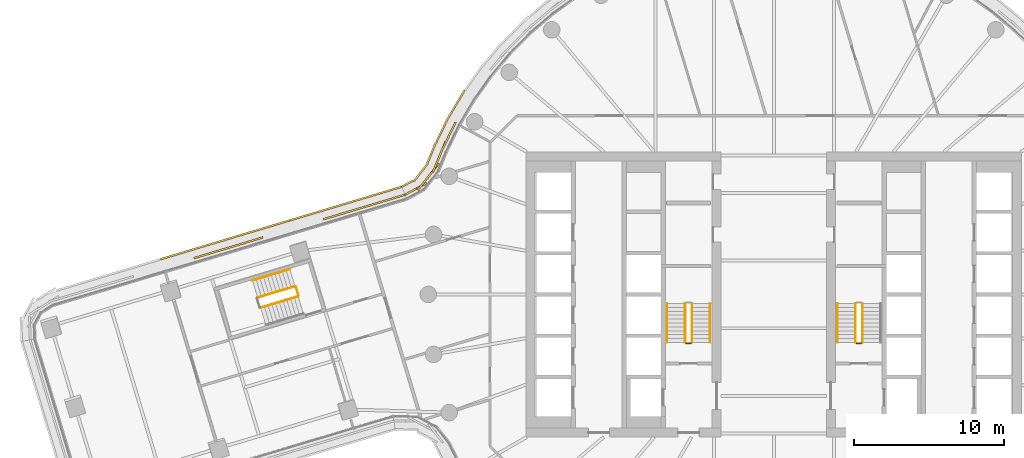
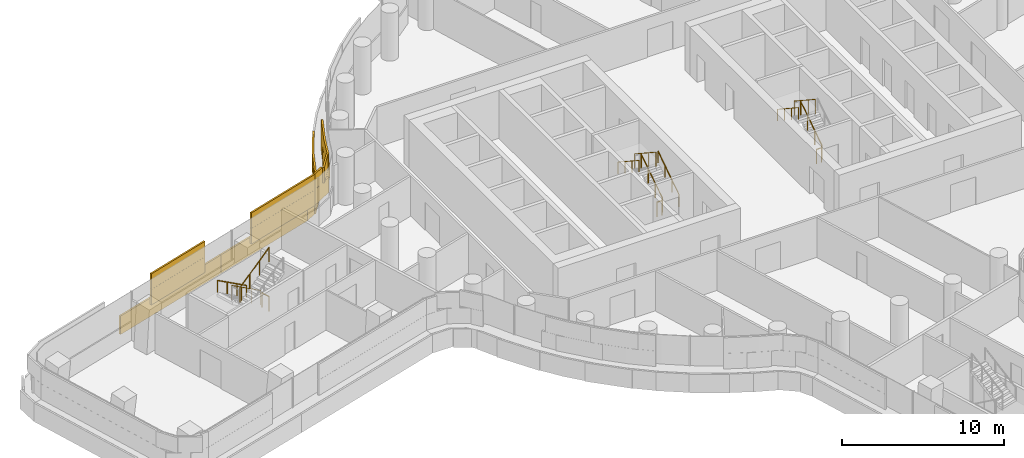
# One storey, part 27 of 32: 13 railings, 3 coverings.
"""IFC4 building model written with IfcOpenShell, lengths in metres."""

from ifc_helpers import new_model, si_unit, direction, frame, origin, origin_2d, place, context, subcontext, project, spatial, rectangle, circle, extrude, material, layer, layer_set, type_object, element, save


model = new_model("IFC4")

# Units and contexts
model_context = context("Model", 3, precision=1e-05, world=origin(), true_north=direction((0.0, 1.0)))
body_context = subcontext(model_context, "Body", "Model", "MODEL_VIEW")
ifc_project = project(units=[si_unit("LENGTHUNIT", "METRE"), si_unit("AREAUNIT", "SQUARE_METRE"), si_unit("VOLUMEUNIT", "CUBIC_METRE"), si_unit("PLANEANGLEUNIT", "RADIAN"), si_unit("MASSUNIT", "GRAM", prefix="KILO")], contexts=[model_context])

# Site, building, storey
site_placement = place(None, origin())
site = spatial("IfcSite", under=ifc_project, at=site_placement, CompositionType="ELEMENT")
building_placement = place(site_placement, origin())
building = spatial("IfcBuilding", under=site, at=building_placement, Name="Tamarind Cross Interchange Tower", CompositionType="ELEMENT")
storey_placement = place(building_placement, frame((0.0, 0.0, 94.75)))
storey = spatial("IfcBuildingStorey", under=building, at=storey_placement, Name="L22", CompositionType="ELEMENT", Elevation=94.75)

# Railings
ifc_material_1 = material(Name="Stair guard")
railing_type_1 = type_object("IfcRailingType", Name="Stair guard", PredefinedType="GUARDRAIL", material=ifc_material_1)
railing_1_placement = place(storey_placement, frame((-5.449951171875, -3.199951171875, 0.17041015625)))
element("IfcRailing", 1, at=railing_1_placement, inside=storey, type_object=railing_type_1, Name="L22 ST1 stair guard 1", PredefinedType="GUARDRAIL", context=body_context, shape_type="SweptSolid", body=[
    extrude(circle(Radius=0.02392578125, at=origin_2d()), frame((0.0, 0.0, 1.076171875), z_axis=(0.0, 0.836278606002, 0.548304744775), x_axis=(-1.0, 0.0, 0.0)), (0.0, 0.0, 1.0), 3.10888671875),
    extrude(circle(Radius=0.02099609375, at=origin_2d()), origin(), (0.0, 0.0, 1.0), 1.052001953125),
    extrude(circle(Radius=0.02099609375, at=origin_2d()), frame((0.0, 0.86669921875, 0.568115234375)), (0.0, 0.0, 1.0), 1.052001953125),
    extrude(circle(Radius=0.02099609375, at=origin_2d()), frame((0.0, 1.733154296875, 1.136474609375)), (0.0, 0.0, 1.0), 1.052001953125),
    extrude(circle(Radius=0.02099609375, at=origin_2d()), frame((0.0, 2.599853515625, 1.70458984375)), (0.0, 0.0, 1.0), 1.052001953125),
])
railing_2_placement = place(storey_placement, frame((-5.89990234375, -0.60009765625, 2.04541015625)))
element("IfcRailing", 2, at=railing_2_placement, inside=storey, type_object=railing_type_1, Name="L22 ST1 stair guard 3", PredefinedType="GUARDRAIL", context=body_context, shape_type="SweptSolid", body=[
    extrude(circle(Radius=0.02392578125, at=origin_2d()), frame((0.0, 0.0, 1.076171875), z_axis=(0.0, -0.836278606002, 0.548304744775), x_axis=(1.0, 0.0, 0.0)), (0.0, 0.0, 1.0), 3.10888671875),
    extrude(circle(Radius=0.02099609375, at=origin_2d()), origin(), (0.0, 0.0, 1.0), 1.052001953125),
    extrude(circle(Radius=0.02099609375, at=origin_2d()), frame((0.0, -0.86669921875, 0.568115234375)), (0.0, 0.0, 1.0), 1.052001953125),
    extrude(circle(Radius=0.02099609375, at=origin_2d()), frame((0.0, -1.733154296875, 1.136474609375)), (0.0, 0.0, 1.0), 1.052001953125),
    extrude(circle(Radius=0.02099609375, at=origin_2d()), frame((0.0, -2.599853515625, 1.70458984375)), (0.0, 0.0, 1.0), 1.052001953125),
])
railing_3_placement = place(storey_placement, frame((-5.5, -3.25, 0.0)))
element("IfcRailing", 3, at=railing_3_placement, inside=storey, type_object=railing_type_1, Name="L22 ST1 stair guard 4", PredefinedType="GUARDRAIL", context=body_context, shape_type="SweptSolid", body=[
    extrude(circle(Radius=0.02392578125, at=origin_2d()), frame((0.0, 0.0, 1.076171875), z_axis=(-1.0, 0.0, 0.0), x_axis=(0.0, -1.0, 0.0)), (0.0, 0.0, 1.0), 0.35009765625),
    extrude(circle(Radius=0.02099609375, at=origin_2d()), origin(), (0.0, 0.0, 1.0), 1.052001953125),
    extrude(circle(Radius=0.02099609375, at=origin_2d()), frame((-0.35009765625, 0.0, 0.0)), (0.0, 0.0, 1.0), 1.052001953125),
])
railing_4_placement = place(storey_placement, frame((5.89990234375, -3.199951171875, 0.17041015625)))
element("IfcRailing", 4, at=railing_4_placement, inside=storey, type_object=railing_type_1, Name="L22 ST2 stair guard 1", PredefinedType="GUARDRAIL", context=body_context, shape_type="SweptSolid", body=[
    extrude(circle(Radius=0.02392578125, at=origin_2d()), frame((0.0, 0.0, 1.076171875), z_axis=(0.0, 0.836278606002, 0.548304744775), x_axis=(-1.0, 0.0, 0.0)), (0.0, 0.0, 1.0), 3.10888671875),
    extrude(circle(Radius=0.02099609375, at=origin_2d()), origin(), (0.0, 0.0, 1.0), 1.052001953125),
    extrude(circle(Radius=0.02099609375, at=origin_2d()), frame((0.0, 0.86669921875, 0.568115234375)), (0.0, 0.0, 1.0), 1.052001953125),
    extrude(circle(Radius=0.02099609375, at=origin_2d()), frame((0.0, 1.733154296875, 1.136474609375)), (0.0, 0.0, 1.0), 1.052001953125),
    extrude(circle(Radius=0.02099609375, at=origin_2d()), frame((0.0, 2.599853515625, 1.70458984375)), (0.0, 0.0, 1.0), 1.052001953125),
])
railing_5_placement = place(storey_placement, frame((5.449951171875, -0.60009765625, 2.04541015625)))
element("IfcRailing", 5, at=railing_5_placement, inside=storey, type_object=railing_type_1, Name="L22 ST2 stair guard 3", PredefinedType="GUARDRAIL", context=body_context, shape_type="SweptSolid", body=[
    extrude(circle(Radius=0.02392578125, at=origin_2d()), frame((0.0, 0.0, 1.076171875), z_axis=(0.0, -0.836278606002, 0.548304744775), x_axis=(1.0, 0.0, 0.0)), (0.0, 0.0, 1.0), 3.10888671875),
    extrude(circle(Radius=0.02099609375, at=origin_2d()), origin(), (0.0, 0.0, 1.0), 1.052001953125),
    extrude(circle(Radius=0.02099609375, at=origin_2d()), frame((0.0, -0.86669921875, 0.568115234375)), (0.0, 0.0, 1.0), 1.052001953125),
    extrude(circle(Radius=0.02099609375, at=origin_2d()), frame((0.0, -1.733154296875, 1.136474609375)), (0.0, 0.0, 1.0), 1.052001953125),
    extrude(circle(Radius=0.02099609375, at=origin_2d()), frame((0.0, -2.599853515625, 1.70458984375)), (0.0, 0.0, 1.0), 1.052001953125),
])
railing_6_placement = place(storey_placement, frame((5.85009765625, -3.25, 0.0)))
element("IfcRailing", 6, at=railing_6_placement, inside=storey, type_object=railing_type_1, Name="L22 ST2 stair guard 4", PredefinedType="GUARDRAIL", context=body_context, shape_type="SweptSolid", body=[
    extrude(circle(Radius=0.02392578125, at=origin_2d()), frame((0.0, 0.0, 1.076171875), z_axis=(-1.0, 0.0, 0.0), x_axis=(0.0, -1.0, 0.0)), (0.0, 0.0, 1.0), 0.35009765625),
    extrude(circle(Radius=0.02099609375, at=origin_2d()), origin(), (0.0, 0.0, 1.0), 1.052001953125),
    extrude(circle(Radius=0.02099609375, at=origin_2d()), frame((-0.35009765625, 0.0, 0.0)), (0.0, 0.0, 1.0), 1.052001953125),
])
railing_7_placement = place(storey_placement, frame((-31.87060546875, 0.533447265625, 0.17041015625)))
element("IfcRailing", 7, at=railing_7_placement, inside=storey, type_object=railing_type_1, Name="L22 ST5 stair guard 1", PredefinedType="GUARDRAIL", context=body_context, shape_type="SweptSolid", body=[
    extrude(circle(Radius=0.02392578125, at=origin_2d()), frame((0.0, 0.0, 1.076171875), z_axis=(-0.800923528983, -0.240614736033, 0.548293762071), x_axis=(0.287718306478, -0.957715080866, 0.0)), (0.0, 0.0, 1.0), 3.10888671875),
    extrude(circle(Radius=0.02099609375, at=origin_2d()), origin(), (0.0, 0.0, 1.0), 1.052001953125),
    extrude(circle(Radius=0.02099609375, at=origin_2d()), frame((-0.830078125, -0.249267578125, 0.568115234375)), (0.0, 0.0, 1.0), 1.052001953125),
    extrude(circle(Radius=0.02099609375, at=origin_2d()), frame((-1.659912109375, -0.498779296875, 1.136474609375)), (0.0, 0.0, 1.0), 1.052001953125),
    extrude(circle(Radius=0.02099609375, at=origin_2d()), frame((-2.489990234375, -0.748046875, 1.70458984375)), (0.0, 0.0, 1.0), 1.052001953125),
])
railing_8_placement = place(storey_placement, frame((-34.159423828125, -0.885009765625, 2.04541015625)))
element("IfcRailing", 8, at=railing_8_placement, inside=storey, type_object=railing_type_1, Name="L22 ST5 stair guard 3", PredefinedType="GUARDRAIL", context=body_context, shape_type="SweptSolid", body=[
    extrude(circle(Radius=0.02392578125, at=origin_2d()), frame((0.0, 0.0, 1.076171875), z_axis=(0.800951680882, 0.240599602963, 0.548259278031), x_axis=(-0.287692433569, 0.957722853266, 0.0)), (0.0, 0.0, 1.0), 3.109130859375),
    extrude(circle(Radius=0.02099609375, at=origin_2d()), origin(), (0.0, 0.0, 1.0), 1.052001953125),
    extrude(circle(Radius=0.02099609375, at=origin_2d()), frame((0.830078125, 0.249267578125, 0.568115234375)), (0.0, 0.0, 1.0), 1.052001953125),
    extrude(circle(Radius=0.02099609375, at=origin_2d()), frame((1.66015625, 0.498779296875, 1.136474609375)), (0.0, 0.0, 1.0), 1.052001953125),
    extrude(circle(Radius=0.02099609375, at=origin_2d()), frame((2.490234375, 0.748046875, 1.70458984375)), (0.0, 0.0, 1.0), 1.052001953125),
])
railing_9_placement = place(storey_placement, frame((-31.808349609375, 0.499755859375, 0.0)))
element("IfcRailing", 9, at=railing_9_placement, inside=storey, type_object=railing_type_1, Name="L22 ST5 stair guard 4", PredefinedType="GUARDRAIL", context=body_context, shape_type="SweptSolid", body=[
    extrude(circle(Radius=0.02392578125, at=origin_2d()), frame((0.0, 0.0, 1.076171875), z_axis=(0.287758606803, -0.957702972853, 0.0), x_axis=(0.957702972853, 0.287758606803, 0.0)), (0.0, 0.0, 1.0), 0.599853515625),
    extrude(circle(Radius=0.02099609375, at=origin_2d()), origin(), (0.0, 0.0, 1.0), 1.052001953125),
    extrude(circle(Radius=0.02099609375, at=origin_2d()), frame((0.172607421875, -0.574462890625, 0.0)), (0.0, 0.0, 1.0), 1.052001953125),
])
ifc_material_2 = material(Name="Stair handrail")
railing_type_2 = type_object("IfcRailingType", Name="Stair handrail", PredefinedType="HANDRAIL", material=ifc_material_2)
railing_10_placement = place(storey_placement, frame((-4.25, -3.199951171875, 0.17041015625)))
element("IfcRailing", 10, at=railing_10_placement, inside=storey, type_object=railing_type_2, Name="L22 ST1 stair handrail 1", PredefinedType="HANDRAIL", context=body_context, shape_type="SweptSolid", body=[
    extrude(circle(Radius=0.02392578125, at=origin_2d()), frame((0.0, 0.0, 0.8759765625), z_axis=(0.0, 0.836278606002, 0.548304744775), x_axis=(-1.0, 0.0, 0.0)), (0.0, 0.0, 1.0), 3.10888671875),
    extrude(circle(Radius=0.02099609375, at=origin_2d()), origin(), (0.0, 0.0, 1.0), 0.851806640625),
    extrude(circle(Radius=0.02099609375, at=origin_2d()), frame((0.0, 0.86669921875, 0.568115234375)), (0.0, 0.0, 1.0), 0.851806640625),
    extrude(circle(Radius=0.02099609375, at=origin_2d()), frame((0.0, 1.733154296875, 1.136474609375)), (0.0, 0.0, 1.0), 0.851806640625),
    extrude(circle(Radius=0.02099609375, at=origin_2d()), frame((0.0, 2.599853515625, 1.70458984375)), (0.0, 0.0, 1.0), 0.851806640625),
])
for number, where, name in (
    (11, (-7.10009765625, -0.60009765625, 2.04541015625), "L22 ST1 stair handrail 2"),
    (12, (4.25, -0.60009765625, 2.04541015625), "L22 ST2 stair handrail 2"),
):
    element("IfcRailing", number, at=place(storey_placement, frame(where)), inside=storey, type_object=railing_type_2, Name=name, PredefinedType="HANDRAIL", context=body_context, shape_type="SweptSolid", body=[
        extrude(circle(Radius=0.02392578125, at=origin_2d()), frame((0.0, 0.0, 0.8759765625), z_axis=(0.0, -0.836278606002, 0.548304744775), x_axis=(1.0, 0.0, 0.0)), (0.0, 0.0, 1.0), 3.10888671875),
        extrude(circle(Radius=0.02099609375, at=origin_2d()), origin(), (0.0, 0.0, 1.0), 0.851806640625),
        extrude(circle(Radius=0.02099609375, at=origin_2d()), frame((0.0, -0.86669921875, 0.568115234375)), (0.0, 0.0, 1.0), 0.851806640625),
        extrude(circle(Radius=0.02099609375, at=origin_2d()), frame((0.0, -1.733154296875, 1.136474609375)), (0.0, 0.0, 1.0), 0.851806640625),
        extrude(circle(Radius=0.02099609375, at=origin_2d()), frame((0.0, -2.599853515625, 1.70458984375)), (0.0, 0.0, 1.0), 0.851806640625),
    ])
railing_11_placement = place(storey_placement, frame((-32.2158203125, 1.6826171875, 0.17041015625)))
element("IfcRailing", 13, at=railing_11_placement, inside=storey, type_object=railing_type_2, Name="L22 ST5 stair handrail 1", PredefinedType="HANDRAIL", context=body_context, shape_type="SweptSolid", body=[
    extrude(circle(Radius=0.02392578125, at=origin_2d()), frame((0.0, 0.0, 0.8759765625), z_axis=(-0.800938660698, -0.24054075083, 0.548304120894), x_axis=(0.287632173595, -0.957740952822, 0.0)), (0.0, 0.0, 1.0), 3.10888671875),
    extrude(circle(Radius=0.02099609375, at=origin_2d()), origin(), (0.0, 0.0, 1.0), 0.851806640625),
    extrude(circle(Radius=0.02099609375, at=origin_2d()), frame((-0.830078125, -0.249267578125, 0.568115234375)), (0.0, 0.0, 1.0), 0.851806640625),
    extrude(circle(Radius=0.02099609375, at=origin_2d()), frame((-1.659912109375, -0.49853515625, 1.136474609375)), (0.0, 0.0, 1.0), 0.851806640625),
    extrude(circle(Radius=0.02099609375, at=origin_2d()), frame((-2.489990234375, -0.747802734375, 1.70458984375)), (0.0, 0.0, 1.0), 0.851806640625),
])

# Coverings
ifc_material_3 = material(Name="Terracotta", Category="masonry")
ifc_layer = layer(ifc_material_3, 0.1201171875)
ifc_layer_set = layer_set([ifc_layer], Name="Terracotta")
covering_type = type_object("IfcCoveringType", Name="Terracotta baguette screen unit", PredefinedType="MOLDING", material=ifc_layer_set)
covering_1_placement = place(storey_placement, origin())
element("IfcCovering", 14, at=covering_1_placement, inside=storey, type_object=covering_type, Name="SCR-L22-02-01", PredefinedType="MOLDING", context=body_context, shape_type="SweptSolid", body=[
    extrude(rectangle(XDim=1.45361328125, YDim=0.1201171875, at=origin_2d()), frame((-21.50341796875, 10.8115234375, 1.404052734375), z_axis=(0.0, 0.0, 1.0), x_axis=(-0.435326231914, -0.900272776334, 0.0)), (0.0, 0.0, 1.0), 1.1669921875),
    extrude(rectangle(XDim=1.52001953125, YDim=0.1201171875, at=origin_2d()), frame((-22.138427734375, 9.48388671875, 1.404052734375), z_axis=(0.0, 0.0, 1.0), x_axis=(-0.38076011081, -0.924673854944, 0.0)), (0.0, 0.0, 1.0), 1.1669921875),
    extrude(rectangle(XDim=1.52001953125, YDim=0.1201171875, at=origin_2d()), frame((-22.767333984375, 8.130859375, 1.404052734375), z_axis=(0.0, 0.0, 1.0), x_axis=(-0.619379353008, -0.785091852631, 0.0)), (0.0, 0.0, 1.0), 1.1669921875),
    extrude(rectangle(XDim=1.52001953125, YDim=0.1201171875, at=origin_2d()), frame((-23.78173828125, 7.054443359375, 1.404052734375), z_axis=(0.0, 0.0, 1.0), x_axis=(-0.878634345163, -0.47749522249, 0.0)), (0.0, 0.0, 1.0), 1.1669921875),
    extrude(rectangle(XDim=0.134521484375, YDim=0.1201171875, at=origin_2d()), frame((-24.49560546875, 6.666748046875, 1.404052734375), z_axis=(0.0, 0.0, 1.0), x_axis=(-0.878634345163, -0.47749522249, 0.0)), (0.0, 0.0, 1.0), 1.1669921875),
    extrude(rectangle(XDim=0.70361328125, YDim=0.1201171875, at=origin_2d()), frame((-21.340087890625, 11.149169921875, 2.5791015625), z_axis=(0.0, 0.0, 1.0), x_axis=(-0.435326231914, -0.900272776334, 0.0)), (0.0, 0.0, 1.0), 1.1669921875),
    extrude(rectangle(XDim=1.52001953125, YDim=0.1201171875, at=origin_2d()), frame((-21.817626953125, 10.161865234375, 2.5791015625), z_axis=(0.0, 0.0, 1.0), x_axis=(-0.435326231914, -0.900272776334, 0.0)), (0.0, 0.0, 1.0), 1.1669921875),
    extrude(rectangle(XDim=1.52001953125, YDim=0.1201171875, at=origin_2d()), frame((-22.423828125, 8.79052734375, 2.5791015625), z_axis=(0.0, 0.0, 1.0), x_axis=(-0.38076011081, -0.924673854944, 0.0)), (0.0, 0.0, 1.0), 1.1669921875),
    extrude(rectangle(XDim=1.52001953125, YDim=0.1201171875, at=origin_2d()), frame((-23.231689453125, 7.5419921875, 2.5791015625), z_axis=(0.0, 0.0, 1.0), x_axis=(-0.619379353008, -0.785091852631, 0.0)), (0.0, 0.0, 1.0), 1.1669921875),
    extrude(rectangle(XDim=0.884521484375, YDim=0.1201171875, at=origin_2d()), frame((-24.166015625, 6.845703125, 2.5791015625), z_axis=(0.0, 0.0, 1.0), x_axis=(-0.878634345163, -0.47749522249, 0.0)), (0.0, 0.0, 1.0), 1.1669921875),
    extrude(rectangle(XDim=0.977294921875, YDim=0.1201171875, at=origin_2d()), frame((-20.8427734375, 13.161865234375, 0.00390625), z_axis=(0.0, 0.0, 1.0), x_axis=(-0.508183308752, -0.861248933065, 0.0)), (0.0, 0.0, 1.0), 1.39208984375),
    extrude(rectangle(XDim=1.52001953125, YDim=0.1201171875, at=origin_2d()), frame((-21.467041015625, 12.103759765625, 0.00390625), z_axis=(0.0, 0.0, 1.0), x_axis=(-0.508183308752, -0.861248933065, 0.0)), (0.0, 0.0, 1.0), 1.39208984375),
    extrude(rectangle(XDim=1.52001953125, YDim=0.1201171875, at=origin_2d()), frame((-22.158935546875, 10.774169921875, 0.00390625), z_axis=(0.0, 0.0, 1.0), x_axis=(-0.435326231914, -0.900272776334, 0.0)), (0.0, 0.0, 1.0), 1.39208984375),
    extrude(rectangle(XDim=1.52001953125, YDim=0.1201171875, at=origin_2d()), frame((-22.788330078125, 9.4130859375, 0.00390625), z_axis=(0.0, 0.0, 1.0), x_axis=(-0.38076011081, -0.924673854944, 0.0)), (0.0, 0.0, 1.0), 1.39208984375),
    extrude(rectangle(XDim=1.52001953125, YDim=0.1201171875, at=origin_2d()), frame((-23.510986328125, 8.11474609375, 0.00390625), z_axis=(0.0, 0.0, 1.0), x_axis=(-0.619379353008, -0.785091852631, 0.0)), (0.0, 0.0, 1.0), 1.39208984375),
    extrude(rectangle(XDim=0.8662109375, YDim=0.1201171875, at=origin_2d()), frame((-24.3916015625, 7.37646484375, 0.00390625), z_axis=(0.0, 0.0, 1.0), x_axis=(-0.878634345163, -0.47749522249, 0.0)), (0.0, 0.0, 1.0), 1.39208984375),
])
covering_2_placement = place(storey_placement, origin())
element("IfcCovering", 15, at=covering_2_placement, inside=storey, type_object=covering_type, Name="SCR-L22-03-00", PredefinedType="MOLDING", context=body_context, shape_type="SweptSolid", body=[
    extrude(rectangle(XDim=1.510009765625, YDim=0.1201171875, at=origin_2d()), frame((-25.2685546875, 6.421142578125, 1.404052734375), z_axis=(0.0, 0.0, 1.0), x_axis=(-0.957738195167, -0.287641355717, 0.0)), (0.0, 0.0, 1.0), 1.1669921875),
    extrude(rectangle(XDim=1.52001953125, YDim=0.1201171875, at=origin_2d()), frame((-26.705078125, 5.98974609375, 1.404052734375), z_axis=(0.0, 0.0, 1.0), x_axis=(-0.957738195167, -0.287641355717, 0.0)), (0.0, 0.0, 1.0), 1.1669921875),
    extrude(rectangle(XDim=1.52001953125, YDim=0.1201171875, at=origin_2d()), frame((-28.141845703125, 5.558349609375, 1.404052734375), z_axis=(0.0, 0.0, 1.0), x_axis=(-0.957738195167, -0.287641355717, 0.0)), (0.0, 0.0, 1.0), 1.1669921875),
    extrude(rectangle(XDim=1.186767578125, YDim=0.1201171875, at=origin_2d()), frame((-29.423583984375, 5.17333984375, 1.404052734375), z_axis=(0.0, 0.0, 1.0), x_axis=(-0.957738195167, -0.287641355717, 0.0)), (0.0, 0.0, 1.0), 1.1669921875),
    extrude(rectangle(XDim=0.760009765625, YDim=0.1201171875, at=origin_2d()), frame((-24.909423828125, 6.529052734375, 2.5791015625), z_axis=(0.0, 0.0, 1.0), x_axis=(-0.957738195167, -0.287641355717, 0.0)), (0.0, 0.0, 1.0), 1.1669921875),
    extrude(rectangle(XDim=1.52001953125, YDim=0.1201171875, at=origin_2d()), frame((-25.98681640625, 6.20556640625, 2.5791015625), z_axis=(0.0, 0.0, 1.0), x_axis=(-0.957738195167, -0.287641355717, 0.0)), (0.0, 0.0, 1.0), 1.1669921875),
    extrude(rectangle(XDim=1.52001953125, YDim=0.1201171875, at=origin_2d()), frame((-27.42333984375, 5.77392578125, 2.5791015625), z_axis=(0.0, 0.0, 1.0), x_axis=(-0.957738195167, -0.287641355717, 0.0)), (0.0, 0.0, 1.0), 1.1669921875),
    extrude(rectangle(XDim=1.52001953125, YDim=0.1201171875, at=origin_2d()), frame((-28.860107421875, 5.342529296875, 2.5791015625), z_axis=(0.0, 0.0, 1.0), x_axis=(-0.957738195167, -0.287641355717, 0.0)), (0.0, 0.0, 1.0), 1.1669921875),
    extrude(rectangle(XDim=0.436767578125, YDim=0.1201171875, at=origin_2d()), frame((-29.78271484375, 5.0654296875, 2.5791015625), z_axis=(0.0, 0.0, 1.0), x_axis=(-0.957738195167, -0.287641355717, 0.0)), (0.0, 0.0, 1.0), 1.1669921875),
    extrude(rectangle(XDim=1.510009765625, YDim=0.1201171875, at=origin_2d()), frame((-25.495361328125, 6.952392578125, 0.00390625), z_axis=(0.0, 0.0, 1.0), x_axis=(-0.957738195167, -0.287641355717, 0.0)), (0.0, 0.0, 1.0), 1.39208984375),
    extrude(rectangle(XDim=1.52001953125, YDim=0.1201171875, at=origin_2d()), frame((-26.927001953125, 6.5224609375, 0.00390625), z_axis=(0.0, 0.0, 1.0), x_axis=(-0.957738195167, -0.287641355717, 0.0)), (0.0, 0.0, 1.0), 1.39208984375),
    extrude(rectangle(XDim=1.52001953125, YDim=0.1201171875, at=origin_2d()), frame((-28.36376953125, 6.091064453125, 0.00390625), z_axis=(0.0, 0.0, 1.0), x_axis=(-0.957738195167, -0.287641355717, 0.0)), (0.0, 0.0, 1.0), 1.39208984375),
    extrude(rectangle(XDim=1.52001953125, YDim=0.1201171875, at=origin_2d()), frame((-29.80029296875, 5.659423828125, 0.00390625), z_axis=(0.0, 0.0, 1.0), x_axis=(-0.957738195167, -0.287641355717, 0.0)), (0.0, 0.0, 1.0), 1.39208984375),
    extrude(rectangle(XDim=1.52001953125, YDim=0.1201171875, at=origin_2d()), frame((-31.23681640625, 5.22802734375, 0.00390625), z_axis=(0.0, 0.0, 1.0), x_axis=(-0.957738195167, -0.287641355717, 0.0)), (0.0, 0.0, 1.0), 1.39208984375),
    extrude(rectangle(XDim=0.291748046875, YDim=0.1201171875, at=origin_2d()), frame((-32.08544921875, 4.97314453125, 0.00390625), z_axis=(0.0, 0.0, 1.0), x_axis=(-0.957738195167, -0.287641355717, 0.0)), (0.0, 0.0, 1.0), 1.39208984375),
])
covering_3_placement = place(storey_placement, origin())
element("IfcCovering", 16, at=covering_3_placement, inside=storey, type_object=covering_type, Name="SCR-L22-03-01", PredefinedType="MOLDING", context=body_context, shape_type="SweptSolid", body=[
    extrude(rectangle(XDim=0.63330078125, YDim=0.1201171875, at=origin_2d()), frame((-34.30810546875, 3.706298828125, 1.404052734375), z_axis=(0.0, 0.0, 1.0), x_axis=(-0.957738195167, -0.287641355717, 0.0)), (0.0, 0.0, 1.0), 1.1669921875),
    extrude(rectangle(XDim=1.52001953125, YDim=0.1201171875, at=origin_2d()), frame((-35.32470703125, 3.40087890625, 1.404052734375), z_axis=(0.0, 0.0, 1.0), x_axis=(-0.957738195167, -0.287641355717, 0.0)), (0.0, 0.0, 1.0), 1.1669921875),
    extrude(rectangle(XDim=1.52001953125, YDim=0.1201171875, at=origin_2d()), frame((-36.761474609375, 2.969482421875, 1.404052734375), z_axis=(0.0, 0.0, 1.0), x_axis=(-0.957738195167, -0.287641355717, 0.0)), (0.0, 0.0, 1.0), 1.1669921875),
    extrude(rectangle(XDim=1.187744140625, YDim=0.1201171875, at=origin_2d()), frame((-38.043701171875, 2.58447265625, 1.404052734375), z_axis=(0.0, 0.0, 1.0), x_axis=(-0.957738195167, -0.287641355717, 0.0)), (0.0, 0.0, 1.0), 1.1669921875),
    extrude(rectangle(XDim=1.38330078125, YDim=0.1201171875, at=origin_2d()), frame((-34.667236328125, 3.598388671875, 2.5791015625), z_axis=(0.0, 0.0, 1.0), x_axis=(-0.957738195167, -0.287641355717, 0.0)), (0.0, 0.0, 1.0), 1.1669921875),
    extrude(rectangle(XDim=1.52001953125, YDim=0.1201171875, at=origin_2d()), frame((-36.04296875, 3.185302734375, 2.5791015625), z_axis=(0.0, 0.0, 1.0), x_axis=(-0.957738195167, -0.287641355717, 0.0)), (0.0, 0.0, 1.0), 1.1669921875),
    extrude(rectangle(XDim=1.52001953125, YDim=0.1201171875, at=origin_2d()), frame((-37.479736328125, 2.753662109375, 2.5791015625), z_axis=(0.0, 0.0, 1.0), x_axis=(-0.957738195167, -0.287641355717, 0.0)), (0.0, 0.0, 1.0), 1.1669921875),
    extrude(rectangle(XDim=0.437744140625, YDim=0.1201171875, at=origin_2d()), frame((-38.40283203125, 2.4765625, 2.5791015625), z_axis=(0.0, 0.0, 1.0), x_axis=(-0.957738195167, -0.287641355717, 0.0)), (0.0, 0.0, 1.0), 1.1669921875),
    extrude(rectangle(XDim=1.228271484375, YDim=0.1201171875, at=origin_2d()), frame((-32.813232421875, 4.754638671875, 0.00390625), z_axis=(0.0, 0.0, 1.0), x_axis=(-0.957738195167, -0.287641355717, 0.0)), (0.0, 0.0, 1.0), 1.39208984375),
    extrude(rectangle(XDim=1.52001953125, YDim=0.1201171875, at=origin_2d()), frame((-34.110107421875, 4.364990234375, 0.00390625), z_axis=(0.0, 0.0, 1.0), x_axis=(-0.957738195167, -0.287641355717, 0.0)), (0.0, 0.0, 1.0), 1.39208984375),
    extrude(rectangle(XDim=1.52001953125, YDim=0.1201171875, at=origin_2d()), frame((-35.546630859375, 3.93359375, 0.00390625), z_axis=(0.0, 0.0, 1.0), x_axis=(-0.957738195167, -0.287641355717, 0.0)), (0.0, 0.0, 1.0), 1.39208984375),
    extrude(rectangle(XDim=1.52001953125, YDim=0.1201171875, at=origin_2d()), frame((-36.9833984375, 3.502197265625, 0.00390625), z_axis=(0.0, 0.0, 1.0), x_axis=(-0.957738195167, -0.287641355717, 0.0)), (0.0, 0.0, 1.0), 1.39208984375),
    extrude(rectangle(XDim=1.52001953125, YDim=0.1201171875, at=origin_2d()), frame((-38.419921875, 3.07080078125, 0.00390625), z_axis=(0.0, 0.0, 1.0), x_axis=(-0.957738195167, -0.287641355717, 0.0)), (0.0, 0.0, 1.0), 1.39208984375),
    extrude(rectangle(XDim=1.52001953125, YDim=0.1201171875, at=origin_2d()), frame((-39.8564453125, 2.63916015625, 0.00390625), z_axis=(0.0, 0.0, 1.0), x_axis=(-0.957738195167, -0.287641355717, 0.0)), (0.0, 0.0, 1.0), 1.39208984375),
    extrude(rectangle(XDim=0.298828125, YDim=0.1201171875, at=origin_2d()), frame((-40.708251953125, 2.383544921875, 0.00390625), z_axis=(0.0, 0.0, 1.0), x_axis=(-0.957738195167, -0.287641355717, 0.0)), (0.0, 0.0, 1.0), 1.39208984375),
])

save(model, "model.ifc")
